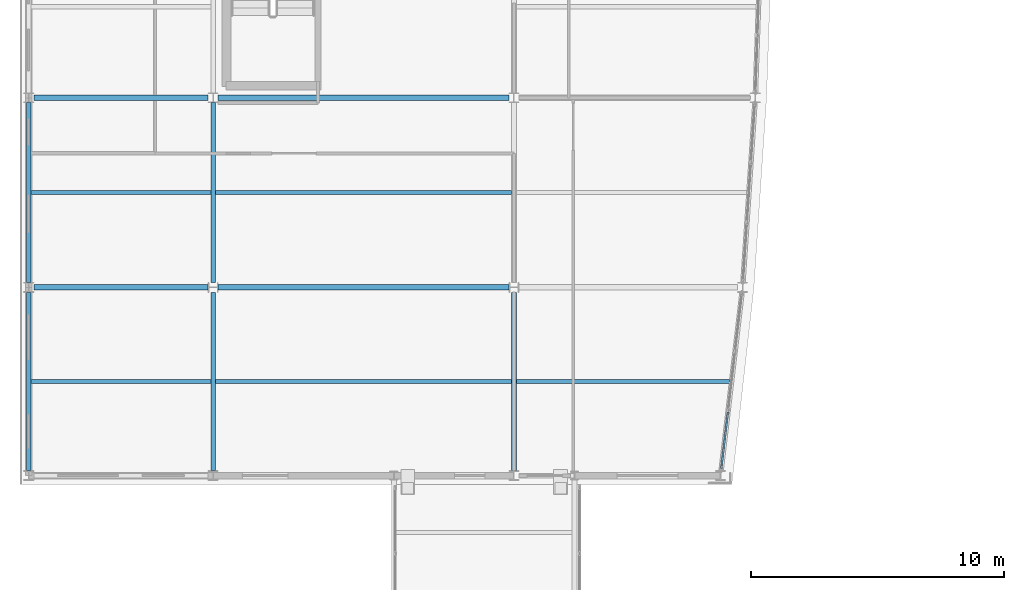
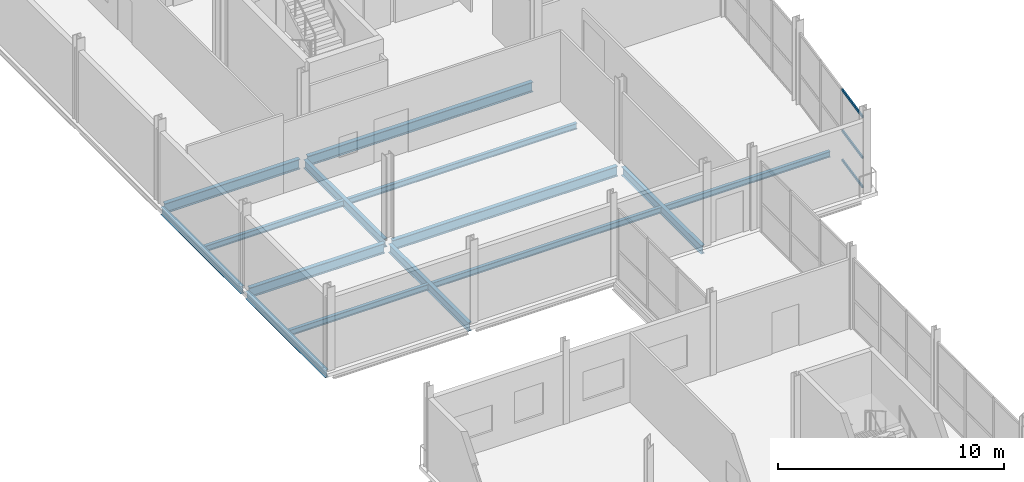
# One storey, part 27 of 77: 14 beams, 3 members, 1 element without a shape of its own.
"""IFC4 building model written with IfcOpenShell, lengths in metres."""

from ifc_helpers import new_model, si_unit, direction, frame, origin, origin_2d, place, context, subcontext, project, spatial, hollow_rectangle, i_section, extrude, material, layer, layer_set, material_profile, profile_set, type_object, element, aggregate, save


model = new_model("IFC4")

# Units and contexts
model_context = context("Model", 3, precision=1e-05, world=origin(), true_north=direction((0.0, 1.0)))
body_context = subcontext(model_context, "Body", "Model", "MODEL_VIEW")
ifc_project = project(units=[si_unit("LENGTHUNIT", "METRE"), si_unit("AREAUNIT", "SQUARE_METRE"), si_unit("VOLUMEUNIT", "CUBIC_METRE"), si_unit("PLANEANGLEUNIT", "RADIAN"), si_unit("MASSUNIT", "GRAM", prefix="KILO")], contexts=[model_context])

# Site, building, storey
site_placement = place(None, origin())
site = spatial("IfcSite", under=ifc_project, at=site_placement, CompositionType="ELEMENT")
building_placement = place(site_placement, origin())
building = spatial("IfcBuilding", under=site, at=building_placement, Name="Quillay Park Conservatory", CompositionType="ELEMENT")
storey_placement = place(building_placement, frame((0.0, 0.0, 5.39990234375)))
storey = spatial("IfcBuildingStorey", under=building, at=storey_placement, Name="L01", CompositionType="ELEMENT", Elevation=5.39990234375)

# Beams
ifc_material_1 = material(Name="Steel ASTM A992 Grade 50", Category="steel")
ifc_material_profile_1 = material_profile(ifc_material_1, i_section(OverallWidth=0.166015625, OverallDepth=0.31298828125, WebThickness=0.006591796875, FlangeThickness=0.01123046875, FilletRadius=0.010009765625, at=origin_2d()), Name="W310x45")
ifc_profile_set_1 = profile_set([ifc_material_profile_1], Name="Steel ASTM A992 Grade 50")
beam_type_1 = type_object("IfcBeamType", Name="COMPOSITE FLOOR JOIST W310 X45", PredefinedType="JOIST", material=ifc_profile_set_1)
beam_1_placement = place(storey_placement, frame((0.639892578125, 66.77490234375, -0.3564453125), z_axis=(1.0, 0.0, 0.0), x_axis=(0.0, 1.0, 0.0)))
element("IfcBeam", 1, at=beam_1_placement, inside=storey, type_object=beam_type_1, Name="L01 beam BM-J-0134", PredefinedType="JOIST", context=body_context, shape_type="SweptSolid", body=[
    extrude(i_section(OverallWidth=0.166015625, OverallDepth=0.31298828125, WebThickness=0.006591796875, FlangeThickness=0.01123046875, FilletRadius=0.010009765625, at=origin_2d()), origin(), (0.0, 0.0, 1.0), 7.114013671875),
])
beam_2_placement = place(storey_placement, frame((19.845947265625, 66.77490234375, -0.3564453125), z_axis=(1.0, 0.0, 0.0), x_axis=(0.0, 1.0, 0.0)))
element("IfcBeam", 2, at=beam_2_placement, inside=storey, type_object=beam_type_1, Name="L01 beam BM-J-0135", PredefinedType="JOIST", context=body_context, shape_type="SweptSolid", body=[
    extrude(i_section(OverallWidth=0.166015625, OverallDepth=0.31298828125, WebThickness=0.006591796875, FlangeThickness=0.01123046875, FilletRadius=0.010009765625, at=origin_2d()), origin(), (0.0, 0.0, 1.0), 8.426513671875),
])
beam_3_placement = place(storey_placement, frame((7.946044921875, 66.77490234375, -0.3564453125), z_axis=(1.0, 0.0, 0.0), x_axis=(0.0, 1.0, 0.0)))
element("IfcBeam", 3, at=beam_3_placement, inside=storey, type_object=beam_type_1, Name="L01 beam BM-J-0136", PredefinedType="JOIST", context=body_context, shape_type="SweptSolid", body=[
    extrude(i_section(OverallWidth=0.166015625, OverallDepth=0.31298828125, WebThickness=0.006591796875, FlangeThickness=0.01123046875, FilletRadius=0.010009765625, at=origin_2d()), origin(), (0.0, 0.0, 1.0), 11.7080078125),
])
beam_4_placement = place(storey_placement, frame((0.639892578125, 74.25, -0.3564453125), z_axis=(1.0, 0.0, 0.0), x_axis=(0.0, 1.0, 0.0)))
element("IfcBeam", 4, at=beam_4_placement, inside=storey, type_object=beam_type_1, Name="L01 beam BM-J-0141", PredefinedType="JOIST", context=body_context, shape_type="SweptSolid", body=[
    extrude(i_section(OverallWidth=0.166015625, OverallDepth=0.31298828125, WebThickness=0.006591796875, FlangeThickness=0.01123046875, FilletRadius=0.010009765625, at=origin_2d()), origin(), (0.0, 0.0, 1.0), 7.114013671875),
])
beam_5_placement = place(storey_placement, frame((7.946044921875, 74.25, -0.3564453125), z_axis=(1.0, 0.0, 0.0), x_axis=(0.0, 1.0, 0.0)))
element("IfcBeam", 5, at=beam_5_placement, inside=storey, type_object=beam_type_1, Name="L01 beam BM-J-0143", PredefinedType="JOIST", context=body_context, shape_type="SweptSolid", body=[
    extrude(i_section(OverallWidth=0.166015625, OverallDepth=0.31298828125, WebThickness=0.006591796875, FlangeThickness=0.01123046875, FilletRadius=0.010009765625, at=origin_2d()), origin(), (0.0, 0.0, 1.0), 11.7080078125),
])

# Curtain wall, members
ifc_material_2 = material(Name="Thermally Broken Anodised Aluminium 6063-T6", Category="aluminium")
ifc_layer = layer(ifc_material_2, 0.179931640625)
ifc_layer_set = layer_set([ifc_layer], Name="UNITISED CURTAIN WALL TOWER (Thermally Broken Anodised Aluminium 6063-T6)")
curtain_wall_type = type_object("IfcCurtainWallType", Name="UNITISED CURTAIN WALL TOWER", PredefinedType="USERDEFINED", material=ifc_layer_set)
curtain_wall_placement = place(storey_placement, origin())
curtain_wall = element("IfcCurtainWall", 6, at=curtain_wall_placement, inside=storey, type_object=curtain_wall_type, Name="L01 Unitised Curtain Wall 010", ObjectType="UNITISED CURTAIN WALL", PredefinedType="USERDEFINED")
ifc_material_3 = material(Name="Thermally Broken Anodised Aluminium 6063-T6", Category="aluminium")
ifc_material_profile_2 = material_profile(ifc_material_3, hollow_rectangle(XDim=0.070068359375, YDim=0.1298828125, WallThickness=0.003173828125, at=origin_2d()), Name="AL70x130x3.2")
ifc_profile_set_2 = profile_set([ifc_material_profile_2], Name="Thermally Broken Anodised Aluminium 6063-T6")
member_type = type_object("IfcMemberType", Name="CURTAIN WALL TRANSOM 70 X130", PredefinedType="USERDEFINED", material=ifc_profile_set_2)
member_1_placement = place(storey_placement, frame((28.220458984375, 65.564697265625, 0.03515625), z_axis=(-0.116672168054, -0.993170481439, 0.0), x_axis=(0.993170481439, -0.116672168054, 0.0)))
member_1 = element("IfcMember", 7, at=member_1_placement, type_object=member_type, Name="CW-T1 transom 3.1", ObjectType="TRANSOM", PredefinedType="USERDEFINED", context=body_context, shape_type="SweptSolid", body=[
    extrude(hollow_rectangle(XDim=0.070068359375, YDim=0.1298828125, WallThickness=0.003173828125, at=origin_2d()), origin(), (0.0, 0.0, 1.0), 2.261962890625),
])
member_2_placement = place(storey_placement, frame((28.220458984375, 65.564697265625, 1.620849609375), z_axis=(-0.116672168054, -0.993170481439, 0.0), x_axis=(0.993170481439, -0.116672168054, 0.0)))
member_2 = element("IfcMember", 8, at=member_2_placement, type_object=member_type, Name="CW-T1 transom 3.2", ObjectType="TRANSOM", PredefinedType="USERDEFINED", context=body_context, shape_type="SweptSolid", body=[
    extrude(hollow_rectangle(XDim=0.070068359375, YDim=0.1298828125, WallThickness=0.003173828125, at=origin_2d()), origin(), (0.0, 0.0, 1.0), 2.261962890625),
])
member_3_placement = place(storey_placement, frame((28.220458984375, 65.564697265625, 3.82421875), z_axis=(-0.116672168054, -0.993170481439, 0.0), x_axis=(0.993170481439, -0.116672168054, 0.0)))
member_3 = element("IfcMember", 9, at=member_3_placement, type_object=member_type, Name="CW-T1 transom 3.3", ObjectType="TRANSOM", PredefinedType="USERDEFINED", context=body_context, shape_type="SweptSolid", body=[
    extrude(hollow_rectangle(XDim=0.070068359375, YDim=0.1298828125, WallThickness=0.003173828125, at=origin_2d()), origin(), (0.0, 0.0, 1.0), 2.261962890625),
])
aggregate(curtain_wall, [member_1, member_2, member_3])

# Beams
ifc_material_4 = material(Name="Steel ASTM A992 Grade 50", Category="steel")
ifc_material_profile_3 = material_profile(ifc_material_4, i_section(OverallWidth=0.179931640625, OverallDepth=0.4130859375, WebThickness=0.009765625, FlangeThickness=0.01611328125, FilletRadius=0.011962890625, at=origin_2d()), Name="W410x74")
ifc_profile_set_3 = profile_set([ifc_material_profile_3], Name="Steel ASTM A992 Grade 50")
beam_type_2 = type_object("IfcBeamType", Name="PERIMETER SPANDREL BEAM W410 X74", PredefinedType="SPANDREL", material=ifc_profile_set_3)
beam_6_placement = place(storey_placement, frame((0.550048828125, 63.24658203125, -0.406494140625), z_axis=(0.0, 1.0, 0.0), x_axis=(-1.0, 0.0, 0.0)))
element("IfcBeam", 10, at=beam_6_placement, inside=storey, type_object=beam_type_2, Name="L01 beam BM-SPW-0130", PredefinedType="SPANDREL", context=body_context, shape_type="SweptSolid", body=[
    extrude(i_section(OverallWidth=0.179931640625, OverallDepth=0.4130859375, WebThickness=0.009765625, FlangeThickness=0.01611328125, FilletRadius=0.011962890625, at=origin_2d()), origin(), (0.0, 0.0, 1.0), 7.056884765625),
])
beam_7_placement = place(storey_placement, frame((0.550048828125, 70.696533203125, -0.406494140625), z_axis=(0.0, 1.0, 0.0), x_axis=(-1.0, 0.0, 0.0)))
element("IfcBeam", 11, at=beam_7_placement, inside=storey, type_object=beam_type_2, Name="L01 beam BM-SPW-0137", PredefinedType="SPANDREL", context=body_context, shape_type="SweptSolid", body=[
    extrude(i_section(OverallWidth=0.179931640625, OverallDepth=0.4130859375, WebThickness=0.009765625, FlangeThickness=0.01611328125, FilletRadius=0.011962890625, at=origin_2d()), origin(), (0.0, 0.0, 1.0), 7.10693359375),
])
ifc_material_5 = material(Name="Steel ASTM A992 Grade 50", Category="steel")
ifc_material_profile_4 = material_profile(ifc_material_5, i_section(OverallWidth=0.19189453125, OverallDepth=0.462890625, WebThickness=0.010498046875, FlangeThickness=0.017578125, FilletRadius=0.012939453125, at=origin_2d()), Name="W460x89")
ifc_profile_set_4 = profile_set([ifc_material_profile_4], Name="Steel ASTM A992 Grade 50")
beam_type_3 = type_object("IfcBeamType", Name="PRIMARY FLOOR GIRDER W460 X89", PredefinedType="BEAM", material=ifc_profile_set_4)
for number, where, z_axis, x_axis, name in (
    (12, (7.85009765625, 63.24658203125, -0.431396484375), (0.0, 1.0, 0.0), (-1.0, 0.0, 0.0), "L01 beam BM-GNS-0132"),
    (13, (19.75, 63.24658203125, -0.431396484375), (0.0, 1.0, 0.0), (-1.0, 0.0, 0.0), "L01 beam BM-GNS-0133"),
):
    element("IfcBeam", number, at=place(storey_placement, frame(where, z_axis=z_axis, x_axis=x_axis)), inside=storey, type_object=beam_type_3, Name=name, PredefinedType="BEAM", context=body_context, shape_type="SweptSolid", body=[
        extrude(i_section(OverallWidth=0.19189453125, OverallDepth=0.462890625, WebThickness=0.010498046875, FlangeThickness=0.017578125, FilletRadius=0.012939453125, at=origin_2d()), origin(), (0.0, 0.0, 1.0), 7.053955078125),
    ])
beam_8_placement = place(storey_placement, frame((7.85009765625, 70.699462890625, -0.431396484375), z_axis=(0.0, 1.0, 0.0), x_axis=(-1.0, 0.0, 0.0)))
element("IfcBeam", 14, at=beam_8_placement, inside=storey, type_object=beam_type_3, Name="L01 beam BM-GNS-0139", PredefinedType="BEAM", context=body_context, shape_type="SweptSolid", body=[
    extrude(i_section(OverallWidth=0.19189453125, OverallDepth=0.462890625, WebThickness=0.010498046875, FlangeThickness=0.017578125, FilletRadius=0.012939453125, at=origin_2d()), origin(), (0.0, 0.0, 1.0), 7.10400390625),
])
ifc_material_6 = material(Name="Steel ASTM A992 Grade 50", Category="steel")
ifc_material_profile_5 = material_profile(ifc_material_6, i_section(OverallWidth=0.2109375, OverallDepth=0.5390625, WebThickness=0.01171875, FlangeThickness=0.018798828125, FilletRadius=0.013916015625, at=origin_2d()), Name="W530x109")
ifc_profile_set_5 = profile_set([ifc_material_profile_5], Name="Steel ASTM A992 Grade 50")
beam_type_4 = type_object("IfcBeamType", Name="PRIMARY FLOOR GIRDER W530 X109", PredefinedType="BEAM", material=ifc_profile_set_5)
beam_9_placement = place(storey_placement, frame((0.74951171875, 70.5, -0.469482421875), z_axis=(1.0, 0.0, 0.0), x_axis=(0.0, 1.0, 0.0)))
element("IfcBeam", 15, at=beam_9_placement, inside=storey, type_object=beam_type_4, Name="L01 beam BM-G-0111", PredefinedType="BEAM", context=body_context, shape_type="SweptSolid", body=[
    extrude(i_section(OverallWidth=0.2109375, OverallDepth=0.5390625, WebThickness=0.01171875, FlangeThickness=0.018798828125, FilletRadius=0.013916015625, at=origin_2d()), origin(), (0.0, 0.0, 1.0), 6.904052734375),
])
beam_10_placement = place(storey_placement, frame((8.04638671875, 70.5, -0.469482421875), z_axis=(1.0, 0.0, 0.0), x_axis=(0.0, 1.0, 0.0)))
element("IfcBeam", 16, at=beam_10_placement, inside=storey, type_object=beam_type_4, Name="L01 beam BM-G-0112", PredefinedType="BEAM", context=body_context, shape_type="SweptSolid", body=[
    extrude(i_section(OverallWidth=0.2109375, OverallDepth=0.5390625, WebThickness=0.01171875, FlangeThickness=0.018798828125, FilletRadius=0.013916015625, at=origin_2d()), origin(), (0.0, 0.0, 1.0), 11.507080078125),
])
beam_11_placement = place(storey_placement, frame((0.74951171875, 78.0, -0.469482421875), z_axis=(1.0, 0.0, 0.0), x_axis=(0.0, 1.0, 0.0)))
element("IfcBeam", 17, at=beam_11_placement, inside=storey, type_object=beam_type_4, Name="L01 beam BM-G-0114", PredefinedType="BEAM", context=body_context, shape_type="SweptSolid", body=[
    extrude(i_section(OverallWidth=0.2109375, OverallDepth=0.5390625, WebThickness=0.01171875, FlangeThickness=0.018798828125, FilletRadius=0.013916015625, at=origin_2d()), origin(), (0.0, 0.0, 1.0), 6.90087890625),
])
beam_12_placement = place(storey_placement, frame((8.049560546875, 78.0, -0.469482421875), z_axis=(1.0, 0.0, 0.0), x_axis=(0.0, 1.0, 0.0)))
element("IfcBeam", 18, at=beam_12_placement, inside=storey, type_object=beam_type_4, Name="L01 beam BM-G-0115", PredefinedType="BEAM", context=body_context, shape_type="SweptSolid", body=[
    extrude(i_section(OverallWidth=0.2109375, OverallDepth=0.5390625, WebThickness=0.01171875, FlangeThickness=0.018798828125, FilletRadius=0.013916015625, at=origin_2d()), origin(), (0.0, 0.0, 1.0), 11.5009765625),
])

save(model, "model.ifc")
